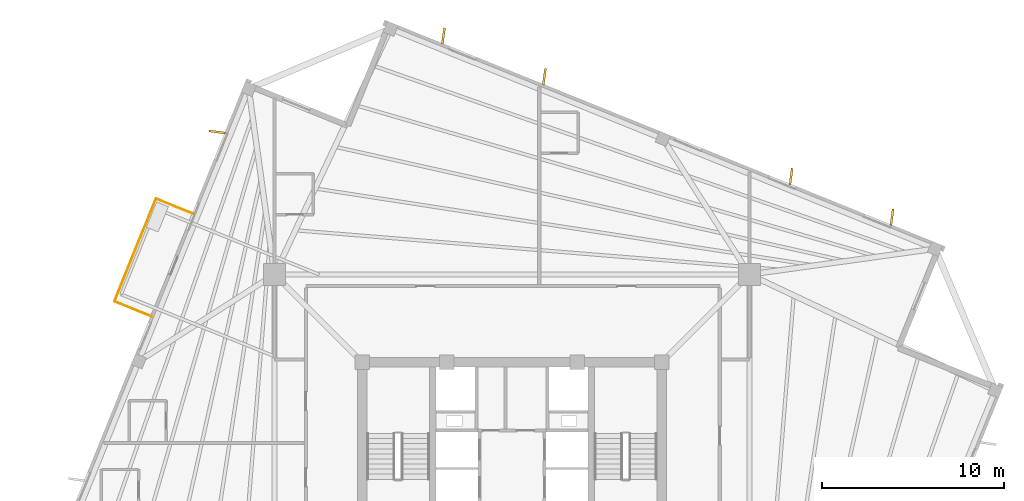
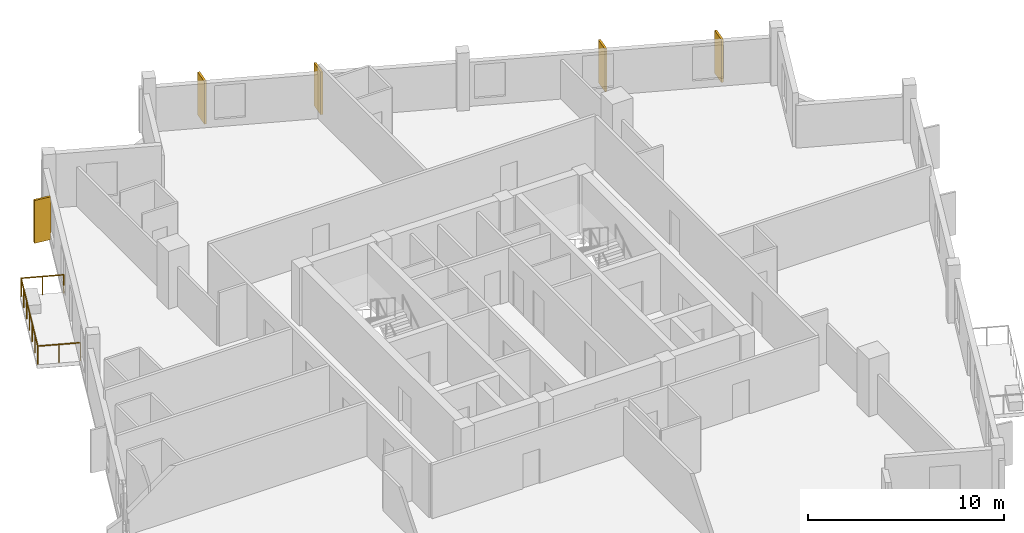
# One storey, part 8 of 8: 5 coverings, 3 railings.
"""IFC4 building model written with IfcOpenShell, lengths in metres."""

from ifc_helpers import new_model, si_unit, direction, frame, origin, origin_2d, place, context, subcontext, project, spatial, rectangle, circle, extrude, source, transform, mapped, material, layer, layer_set, type_object, element, save


model = new_model("IFC4")

# Units and contexts
model_context = context("Model", 3, precision=1e-05, world=origin(), true_north=direction((0.0, 1.0)))
body_context = subcontext(model_context, "Body", "Model", "MODEL_VIEW")
ifc_project = project(units=[si_unit("LENGTHUNIT", "METRE"), si_unit("AREAUNIT", "SQUARE_METRE"), si_unit("VOLUMEUNIT", "CUBIC_METRE"), si_unit("PLANEANGLEUNIT", "RADIAN"), si_unit("MASSUNIT", "GRAM", prefix="KILO"), si_unit("THERMODYNAMICTEMPERATUREUNIT", "KELVIN")], contexts=[model_context])

# Site, building, storey
site_placement = place(None, origin())
site = spatial("IfcSite", under=ifc_project, at=site_placement, CompositionType="ELEMENT")
building_placement = place(site_placement, origin())
building = spatial("IfcBuilding", under=site, at=building_placement, Name="Kosmvard Interchange Tower", CompositionType="ELEMENT")
storey_placement = place(building_placement, frame((0.0, 0.0, 294.0)))
storey = spatial("IfcBuildingStorey", under=building, at=storey_placement, Name="L72", CompositionType="ELEMENT", Elevation=294.0)

# Railing
ifc_material_1 = material(Name="Steel S355", Category="steel")
railing_type = type_object("IfcRailingType", Name="Observation & Balcony Glass-Infill Balustrade 1150", PredefinedType="BALUSTRADE", material=ifc_material_1)
shared_shape_1 = source(origin(), body_context, "Body", "SweptSolid", [
    extrude(circle(Radius=0.02392578125, at=origin_2d()), frame((0.0, 0.0, 1.1259765625), z_axis=(-0.927208487558, 0.374545618852, 0.0), x_axis=(-0.374545618852, -0.927208487558, 0.0)), (0.0, 0.0, 1.0), 2.199951171875),
    extrude(circle(Radius=0.02099609375, at=origin_2d()), origin(), (0.0, 0.0, 1.0), 1.101806640625),
    extrude(circle(Radius=0.02099609375, at=origin_2d()), frame((-1.02001953125, 0.412109375, 0.0)), (0.0, 0.0, 1.0), 1.101806640625),
    extrude(circle(Radius=0.02099609375, at=origin_2d()), frame((-2.039794921875, 0.823974609375, 0.0)), (0.0, 0.0, 1.0), 1.101806640625),
])
railing_1_placement = place(storey_placement, frame((-17.574951171875, 16.43017578125, 0.0)))
element("IfcRailing", 1, at=railing_1_placement, inside=storey, type_object=railing_type, Name="L72 Outdoor Terrace Guard BAL-L72-N-A", PredefinedType="BALUSTRADE", context=body_context, shape_type="MappedRepresentation", body=[
    mapped(shared_shape_1, transform((0.0, 0.0, 0.0), scale=1.0)),
])

# Coverings
ifc_material_2 = material(Name="Architectural anodised aluminium", Category="aluminium")
ifc_layer = layer(ifc_material_2, 0.1201171875, Name="Architectural anodised aluminium")
ifc_layer_set = layer_set([ifc_layer], Name="Architectural anodised aluminium")
covering_type = type_object("IfcCoveringType", Name="Rotating Vertical Sun-Breaker Fin 900x120 Aluminium", PredefinedType="CLADDING", material=ifc_layer_set)
shared_shape_2 = source(origin(), body_context, "Body", "SweptSolid", [
    extrude(rectangle(XDim=0.89990234375, YDim=0.1201171875, at=origin_2d()), origin(), (0.0, 0.0, 1.0), 2.669921875),
])
for number, where, z_axis, x_axis, name in (
    (2, (20.932373046875, 16.2412109375, 0.0400390625), (0.0, 0.0, 1.0), (0.135715572434, 0.990747840471, 0.0), "L72 Rotating Vertical Sun-Breaker Fin 04"),
    (3, (15.373046875, 18.4873046875, 0.0400390625), (0.0, 0.0, 1.0), (0.135715572434, 0.990747840471, 0.0), "L72 Rotating Vertical Sun-Breaker Fin 05"),
    (4, (1.783935546875, 23.977783203125, 0.0400390625), (0.0, 0.0, 1.0), (0.135715572434, 0.990747840471, 0.0), "L72 Rotating Vertical Sun-Breaker Fin 06"),
    (5, (-3.775390625, 26.223876953125, 0.0400390625), (0.0, 0.0, 1.0), (0.135715572434, 0.990747840471, 0.0), "L72 Rotating Vertical Sun-Breaker Fin 07"),
    (6, (-16.2412109375, 20.932373046875, 0.0400390625), (0.0, 0.0, 1.0), (-0.990747840471, 0.135715572434, 0.0), "L72 Rotating Vertical Sun-Breaker Fin 08"),
):
    element("IfcCovering", number, at=place(storey_placement, frame(where, z_axis=z_axis, x_axis=x_axis)), inside=storey, type_object=covering_type, Name=name, PredefinedType="CLADDING", context=body_context, shape_type="MappedRepresentation", body=[
        mapped(shared_shape_2, transform((0.0, 0.0, 0.0), scale=1.0)),
    ])

# Railings
shared_shape_3 = source(origin(), body_context, "Body", "SweptSolid", [
    extrude(circle(Radius=0.02392578125, at=origin_2d()), frame((0.0, 0.0, 1.1259765625), z_axis=(-0.374617894384, -0.927179288599, 0.0), x_axis=(0.927179288599, -0.374617894384, 0.0)), (0.0, 0.0, 1.0), 6.099853515625),
    extrude(circle(Radius=0.02099609375, at=origin_2d()), origin(), (0.0, 0.0, 1.0), 1.101806640625),
    extrude(circle(Radius=0.02099609375, at=origin_2d()), frame((-0.380859375, -0.942626953125, 0.0)), (0.0, 0.0, 1.0), 1.101806640625),
    extrude(circle(Radius=0.02099609375, at=origin_2d()), frame((-0.76171875, -1.88525390625, 0.0)), (0.0, 0.0, 1.0), 1.101806640625),
    extrude(circle(Radius=0.02099609375, at=origin_2d()), frame((-1.142578125, -2.827880859375, 0.0)), (0.0, 0.0, 1.0), 1.101806640625),
    extrude(circle(Radius=0.02099609375, at=origin_2d()), frame((-1.5234375, -3.7705078125, 0.0)), (0.0, 0.0, 1.0), 1.101806640625),
    extrude(circle(Radius=0.02099609375, at=origin_2d()), frame((-1.904296875, -4.713134765625, 0.0)), (0.0, 0.0, 1.0), 1.101806640625),
    extrude(circle(Radius=0.02099609375, at=origin_2d()), frame((-2.28515625, -5.65576171875, 0.0)), (0.0, 0.0, 1.0), 1.101806640625),
])
railing_2_placement = place(storey_placement, frame((-19.61474609375, 17.254150390625, 0.0)))
element("IfcRailing", 7, at=railing_2_placement, inside=storey, type_object=railing_type, Name="L72 Outdoor Terrace Guard BAL-L72-N-B", PredefinedType="BALUSTRADE", context=body_context, shape_type="MappedRepresentation", body=[
    mapped(shared_shape_3, transform((0.0, 0.0, 0.0), scale=1.0)),
])
shared_shape_4 = source(origin(), body_context, "Body", "SweptSolid", [
    extrude(circle(Radius=0.02392578125, at=origin_2d()), frame((0.0, 0.0, 1.1259765625), z_axis=(0.927169944131, -0.374641021112, 0.0), x_axis=(0.374641021112, 0.927169944131, 0.0)), (0.0, 0.0, 1.0), 2.199951171875),
    extrude(circle(Radius=0.02099609375, at=origin_2d()), origin(), (0.0, 0.0, 1.0), 1.101806640625),
    extrude(circle(Radius=0.02099609375, at=origin_2d()), frame((1.02001953125, -0.412109375, 0.0)), (0.0, 0.0, 1.0), 1.101806640625),
    extrude(circle(Radius=0.02099609375, at=origin_2d()), frame((2.039794921875, -0.82421875, 0.0)), (0.0, 0.0, 1.0), 1.101806640625),
])
railing_3_placement = place(storey_placement, frame((-21.89990234375, 11.598388671875, 0.0)))
element("IfcRailing", 8, at=railing_3_placement, inside=storey, type_object=railing_type, Name="L72 Outdoor Terrace Guard BAL-L72-N-C", PredefinedType="BALUSTRADE", context=body_context, shape_type="MappedRepresentation", body=[
    mapped(shared_shape_4, transform((0.0, 0.0, 0.0), scale=1.0)),
])

save(model, "model.ifc")
